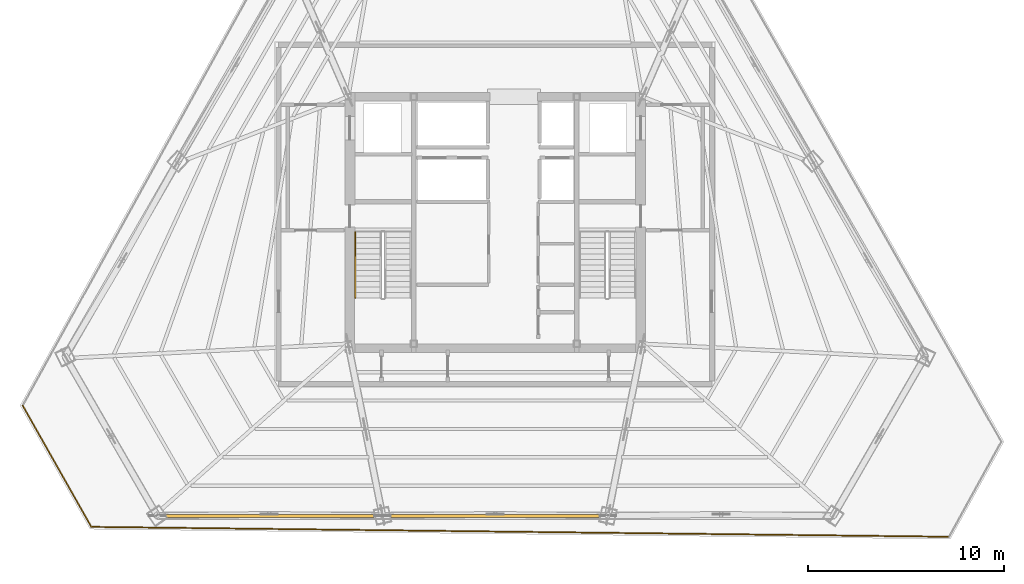
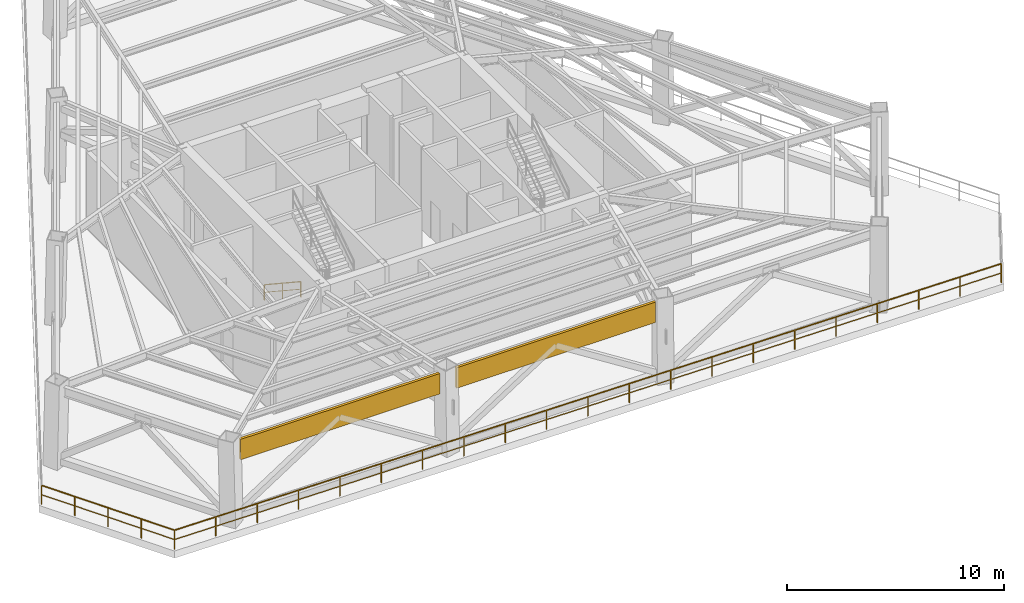
# One storey, part 8 of 10: 3 railings, 2 shading devices.
"""IFC4 building model written with IfcOpenShell, lengths in metres."""

from ifc_helpers import new_model, si_unit, direction, frame, origin, origin_2d, place, context, subcontext, project, spatial, rectangle, extrude, source, transform, mapped, material, layer, layer_set, type_object, type_shapes, element, save


model = new_model("IFC4")

# Units and contexts
model_context = context("Model", 3, precision=1e-05, world=origin(), true_north=direction((0.0, 1.0)))
body_context = subcontext(model_context, "Body", "Model", "MODEL_VIEW")
ifc_project = project(units=[si_unit("LENGTHUNIT", "METRE"), si_unit("AREAUNIT", "SQUARE_METRE"), si_unit("VOLUMEUNIT", "CUBIC_METRE"), si_unit("PLANEANGLEUNIT", "RADIAN"), si_unit("MASSUNIT", "GRAM", prefix="KILO")], contexts=[model_context])

# Site, building, storey
site_placement = place(None, origin())
site = spatial("IfcSite", under=ifc_project, at=site_placement, CompositionType="ELEMENT")
building_placement = place(site_placement, origin())
building = spatial("IfcBuilding", under=site, at=building_placement, Name="Caelisora Broadcast Tower", CompositionType="ELEMENT")
storey_placement = place(building_placement, frame((0.0, 0.0, 220.550048828125)))
storey = spatial("IfcBuildingStorey", under=building, at=storey_placement, Name="L58", CompositionType="ELEMENT", Elevation=220.550048828125)

# Railings
ifc_material_1 = material(Name="Laminated Glass and Stainless Steel Terrace Balustrade", Category="steel")
ifc_layer_1 = layer(ifc_material_1, 0.048095703125, Name="Laminated Glass and Stainless Steel Terrace Balustrade")
ifc_layer_set_1 = layer_set([ifc_layer_1], Name="Laminated Glass and Stainless Steel Terrace Balustrade")
railing_type_1 = type_object("IfcRailingType", Name="BL-1", PredefinedType="BALUSTRADE", material=ifc_layer_set_1)
railing_1_placement = place(storey_placement, frame((61.135009765625, 7.56103515625, 0.0)))
element("IfcRailing", 1, at=railing_1_placement, inside=storey, type_object=railing_type_1, Name="L58 balustrade BL-1 #03", PredefinedType="BALUSTRADE", context=body_context, shape_type="SweptSolid", body=[
    extrude(rectangle(XDim=0.048095703125, YDim=0.048095703125, at=origin_2d()), frame((0.0, 0.0, 1.076171875), z_axis=(-0.999933351867, 0.011545207815, 0.0), x_axis=(-0.011545207815, -0.999933351867, 0.0)), (0.0, 0.0, 1.0), 43.73095703125),
    extrude(rectangle(XDim=0.03125, YDim=0.03125, at=origin_2d()), frame((0.0, 0.0, 0.550048828125), z_axis=(-0.999933351867, 0.011545207815, 0.0), x_axis=(-0.011545207815, -0.999933351867, 0.0)), (0.0, 0.0, 1.0), 43.73095703125),
    extrude(rectangle(XDim=0.0419921875, YDim=0.0419921875, at=origin_2d()), origin(), (0.0, 0.0, 1.0), 1.052001953125),
    extrude(rectangle(XDim=0.0419921875, YDim=0.0419921875, at=origin_2d()), frame((-2.1865234375, 0.025146484375, 0.0)), (0.0, 0.0, 1.0), 1.052001953125),
    extrude(rectangle(XDim=0.0419921875, YDim=0.0419921875, at=origin_2d()), frame((-4.372802734375, 0.050537109375, 0.0)), (0.0, 0.0, 1.0), 1.052001953125),
    extrude(rectangle(XDim=0.0419921875, YDim=0.0419921875, at=origin_2d()), frame((-6.55908203125, 0.07568359375, 0.0)), (0.0, 0.0, 1.0), 1.052001953125),
    extrude(rectangle(XDim=0.0419921875, YDim=0.0419921875, at=origin_2d()), frame((-8.74560546875, 0.10107421875, 0.0)), (0.0, 0.0, 1.0), 1.052001953125),
    extrude(rectangle(XDim=0.0419921875, YDim=0.0419921875, at=origin_2d()), frame((-10.93212890625, 0.126220703125, 0.0)), (0.0, 0.0, 1.0), 1.052001953125),
    extrude(rectangle(XDim=0.0419921875, YDim=0.0419921875, at=origin_2d()), frame((-13.118408203125, 0.1513671875, 0.0)), (0.0, 0.0, 1.0), 1.052001953125),
    extrude(rectangle(XDim=0.0419921875, YDim=0.0419921875, at=origin_2d()), frame((-15.3046875, 0.1767578125, 0.0)), (0.0, 0.0, 1.0), 1.052001953125),
    extrude(rectangle(XDim=0.0419921875, YDim=0.0419921875, at=origin_2d()), frame((-17.4912109375, 0.201904296875, 0.0)), (0.0, 0.0, 1.0), 1.052001953125),
    extrude(rectangle(XDim=0.0419921875, YDim=0.0419921875, at=origin_2d()), frame((-19.677734375, 0.227294921875, 0.0)), (0.0, 0.0, 1.0), 1.052001953125),
    extrude(rectangle(XDim=0.0419921875, YDim=0.0419921875, at=origin_2d()), frame((-21.864013671875, 0.25244140625, 0.0)), (0.0, 0.0, 1.0), 1.052001953125),
    extrude(rectangle(XDim=0.0419921875, YDim=0.0419921875, at=origin_2d()), frame((-24.050537109375, 0.277587890625, 0.0)), (0.0, 0.0, 1.0), 1.052001953125),
    extrude(rectangle(XDim=0.0419921875, YDim=0.0419921875, at=origin_2d()), frame((-26.23681640625, 0.302978515625, 0.0)), (0.0, 0.0, 1.0), 1.052001953125),
    extrude(rectangle(XDim=0.0419921875, YDim=0.0419921875, at=origin_2d()), frame((-28.42333984375, 0.328125, 0.0)), (0.0, 0.0, 1.0), 1.052001953125),
    extrude(rectangle(XDim=0.0419921875, YDim=0.0419921875, at=origin_2d()), frame((-30.609619140625, 0.353515625, 0.0)), (0.0, 0.0, 1.0), 1.052001953125),
    extrude(rectangle(XDim=0.0419921875, YDim=0.0419921875, at=origin_2d()), frame((-32.7958984375, 0.378662109375, 0.0)), (0.0, 0.0, 1.0), 1.052001953125),
    extrude(rectangle(XDim=0.0419921875, YDim=0.0419921875, at=origin_2d()), frame((-34.982421875, 0.40380859375, 0.0)), (0.0, 0.0, 1.0), 1.052001953125),
    extrude(rectangle(XDim=0.0419921875, YDim=0.0419921875, at=origin_2d()), frame((-37.1689453125, 0.42919921875, 0.0)), (0.0, 0.0, 1.0), 1.052001953125),
    extrude(rectangle(XDim=0.0419921875, YDim=0.0419921875, at=origin_2d()), frame((-39.355224609375, 0.454345703125, 0.0)), (0.0, 0.0, 1.0), 1.052001953125),
    extrude(rectangle(XDim=0.0419921875, YDim=0.0419921875, at=origin_2d()), frame((-41.54150390625, 0.479736328125, 0.0)), (0.0, 0.0, 1.0), 1.052001953125),
    extrude(rectangle(XDim=0.0419921875, YDim=0.0419921875, at=origin_2d()), frame((-43.72802734375, 0.5048828125, 0.0)), (0.0, 0.0, 1.0), 1.052001953125),
])
railing_2_placement = place(storey_placement, frame((17.406982421875, 8.06591796875, 0.0)))
element("IfcRailing", 2, at=railing_2_placement, inside=storey, type_object=railing_type_1, Name="L58 balustrade BL-1 #04", PredefinedType="BALUSTRADE", context=body_context, shape_type="SweptSolid", body=[
    extrude(rectangle(XDim=0.048095703125, YDim=0.048095703125, at=origin_2d()), frame((0.0, 0.0, 1.076171875), z_axis=(-0.49291031538, 0.870080123317, 0.0), x_axis=(-0.870080123317, -0.49291031538, 0.0)), (0.0, 0.0, 1.0), 7.108642578125),
    extrude(rectangle(XDim=0.03125, YDim=0.03125, at=origin_2d()), frame((0.0, 0.0, 0.550048828125), z_axis=(-0.49291031538, 0.870080123317, 0.0), x_axis=(-0.870080123317, -0.49291031538, 0.0)), (0.0, 0.0, 1.0), 7.108642578125),
    extrude(rectangle(XDim=0.0419921875, YDim=0.0419921875, at=origin_2d()), origin(), (0.0, 0.0, 1.0), 1.052001953125),
    extrude(rectangle(XDim=0.0419921875, YDim=0.0419921875, at=origin_2d()), frame((-0.8759765625, 1.54638671875, 0.0)), (0.0, 0.0, 1.0), 1.052001953125),
    extrude(rectangle(XDim=0.0419921875, YDim=0.0419921875, at=origin_2d()), frame((-1.751953125, 3.092529296875, 0.0)), (0.0, 0.0, 1.0), 1.052001953125),
    extrude(rectangle(XDim=0.0419921875, YDim=0.0419921875, at=origin_2d()), frame((-2.6279296875, 4.638671875, 0.0)), (0.0, 0.0, 1.0), 1.052001953125),
    extrude(rectangle(XDim=0.0419921875, YDim=0.0419921875, at=origin_2d()), frame((-3.50390625, 6.18505859375, 0.0)), (0.0, 0.0, 1.0), 1.052001953125),
])
ifc_material_2 = material(Name="Stainless Steel Grade 316 Tubular Handrail", Category="steel")
ifc_layer_2 = layer(ifc_material_2, 0.048095703125, Name="Stainless Steel Grade 316 Tubular Handrail")
ifc_layer_set_2 = layer_set([ifc_layer_2], Name="Stainless Steel Grade 316 Tubular Handrail")
railing_type_2 = type_object("IfcRailingType", Name="HR-1", PredefinedType="HANDRAIL", material=ifc_layer_set_2)
railing_3_placement = place(storey_placement, frame((30.8701171875, 23.10009765625, 0.1845703125)))
element("IfcRailing", 3, at=railing_3_placement, inside=storey, type_object=railing_type_2, Name="L58 ST-1 stair handrail 1", PredefinedType="HANDRAIL", context=body_context, shape_type="SweptSolid", body=[
    extrude(rectangle(XDim=0.048095703125, YDim=0.048095703125, at=origin_2d()), frame((0.0, 0.0, 0.8759765625), z_axis=(0.0, -0.834876476806, 0.550437342915), x_axis=(1.0, 0.0, 0.0)), (0.0, 0.0, 1.0), 4.024658203125),
    extrude(rectangle(XDim=0.03125, YDim=0.03125, at=origin_2d()), frame((0.0, 0.0, 0.449951171875), z_axis=(0.0, -0.834876476806, 0.550437342915), x_axis=(1.0, 0.0, 0.0)), (0.0, 0.0, 1.0), 4.024658203125),
    extrude(rectangle(XDim=0.0419921875, YDim=0.0419921875, at=origin_2d()), origin(), (0.0, 0.0, 1.0), 0.851806640625),
    extrude(rectangle(XDim=0.0419921875, YDim=0.0419921875, at=origin_2d()), frame((0.0, -1.68017578125, 1.107666015625)), (0.0, 0.0, 1.0), 0.851806640625),
    extrude(rectangle(XDim=0.0419921875, YDim=0.0419921875, at=origin_2d()), frame((0.0, -3.360107421875, 2.21533203125)), (0.0, 0.0, 1.0), 0.851806640625),
])

# Shading devices
ifc_material_3 = material(Name="Anodised Terracotta Aluminium Acoustic Louvre", Category="aluminium")
ifc_layer_3 = layer(ifc_material_3, 0.139892578125, Name="Anodised Terracotta Aluminium Acoustic Louvre")
ifc_layer_set_3 = layer_set([ifc_layer_3], Name="Anodised Terracotta Aluminium Acoustic Louvre")
shading_device_type = type_object("IfcShadingDeviceType", Name="LV-1", PredefinedType="JALOUSIE", material=ifc_layer_set_3)
shared_shape = source(origin(), body_context, "Body", "SweptSolid", [
    extrude(rectangle(XDim=10.607421875, YDim=0.139892578125, at=origin_2d()), origin(), (0.0, 0.0, 1.0), 1.14990234375),
])
type_shapes(shading_device_type, [shared_shape])
for number, where, z_axis, x_axis, name in (
    (4, (26.5126953125, 8.621826171875, 3.409912109375), (0.0, 0.0, 1.0), (1.0, 0.0, 0.0), "L58 refuge wind-baffle louvre #5"),
    (5, (38.0, 8.621826171875, 3.409912109375), (0.0, 0.0, 1.0), (1.0, 0.0, 0.0), "L58 refuge wind-baffle louvre #6"),
):
    element("IfcShadingDevice", number, at=place(storey_placement, frame(where, z_axis=z_axis, x_axis=x_axis)), inside=storey, type_object=shading_device_type, Name=name, PredefinedType="JALOUSIE", context=body_context, shape_type="MappedRepresentation", body=[
        mapped(shared_shape, transform((0.0, 0.0, 0.0), scale=1.0)),
    ])

save(model, "model.ifc")
